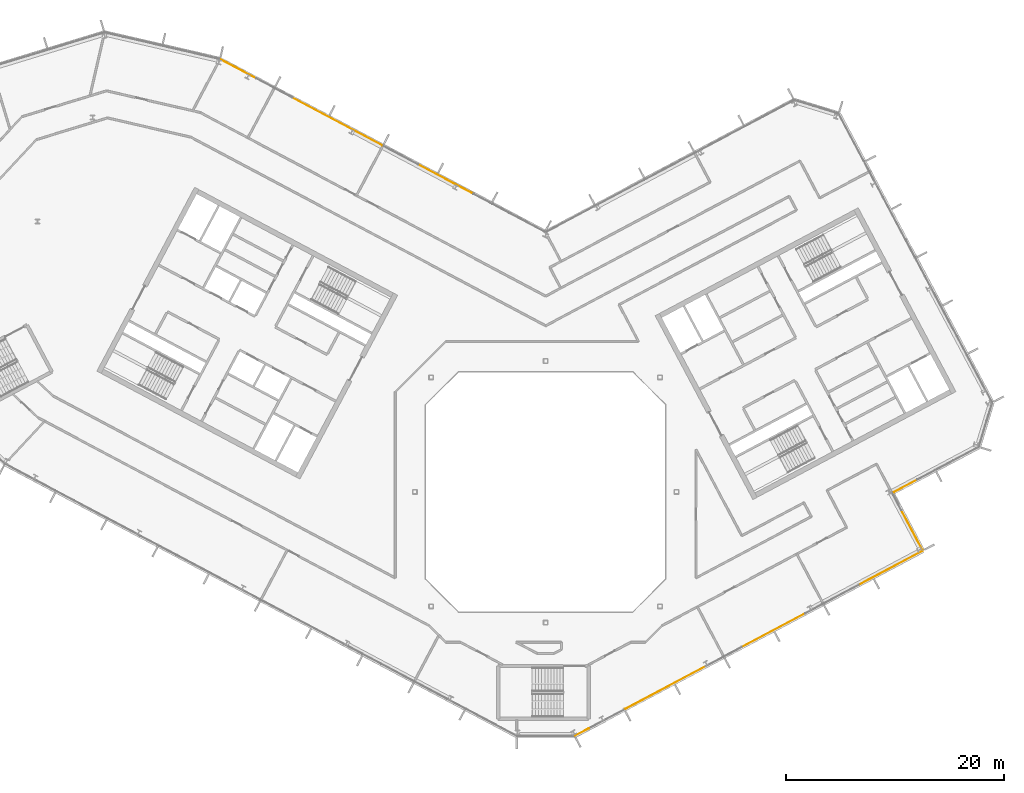
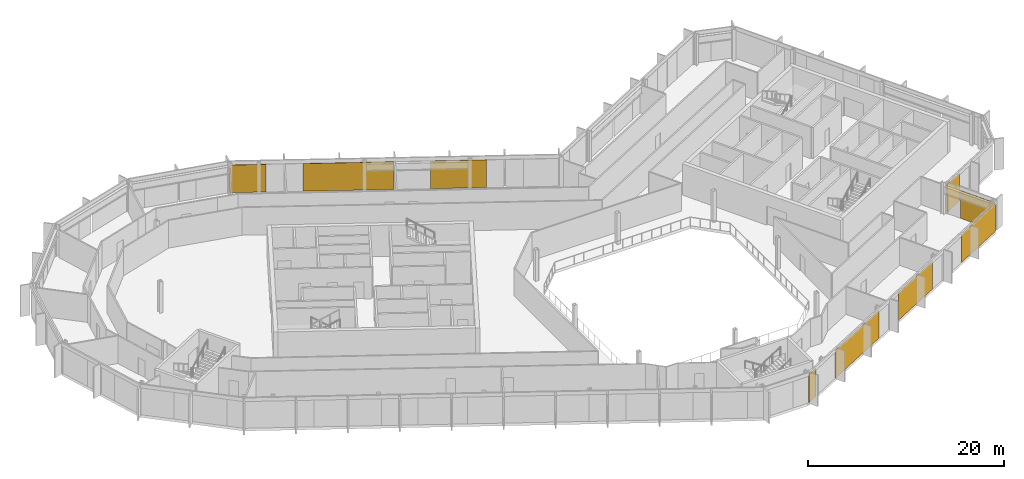
# One storey, part 24 of 26: 9 coverings, 4 elements without a shape of their own.
"""IFC4 building model written with IfcOpenShell, lengths in metres."""

from ifc_helpers import new_model, si_unit, direction, frame, origin, origin_2d, place, context, subcontext, project, spatial, rectangle, extrude, material, layer, layer_set, type_object, element, aggregate, save


model = new_model("IFC4")

# Units and contexts
model_context = context("Model", 3, precision=1e-05, world=origin(), true_north=direction((0.0, 1.0)))
body_context = subcontext(model_context, "Body", "Model", "MODEL_VIEW")
ifc_project = project(units=[si_unit("LENGTHUNIT", "METRE"), si_unit("AREAUNIT", "SQUARE_METRE"), si_unit("VOLUMEUNIT", "CUBIC_METRE"), si_unit("PLANEANGLEUNIT", "RADIAN"), si_unit("MASSUNIT", "GRAM", prefix="KILO")], contexts=[model_context])

# Site, building, storey
site_placement = place(None, origin())
site = spatial("IfcSite", under=ifc_project, at=site_placement, CompositionType="ELEMENT")
building_placement = place(site_placement, origin())
building = spatial("IfcBuilding", under=site, at=building_placement, Name="Cormorant Relay Tower", CompositionType="ELEMENT")
storey_placement = place(building_placement, frame((0.0, 0.0, 316.5)))
storey = spatial("IfcBuildingStorey", under=building, at=storey_placement, Name="L72", CompositionType="ELEMENT", Elevation=316.5)

# Curtain wall, coverings
ifc_material_1 = material(Name="Aluminium 6063-T6 anodised bronze", Category="aluminium")
ifc_layer_1 = layer(ifc_material_1, 0.199951171875)
ifc_layer_set_1 = layer_set([ifc_layer_1], Name="CW1 unitised bronze curtain wall with vertical fins")
curtain_wall_type = type_object("IfcCurtainWallType", Name="CW1 unitised bronze curtain wall with vertical fins", PredefinedType="NOTDEFINED", material=ifc_layer_set_1)
curtain_wall_1_placement = place(storey_placement, origin())
curtain_wall_1 = element("IfcCurtainWall", 1, at=curtain_wall_1_placement, inside=storey, type_object=curtain_wall_type, Name="CW1 curtain wall 2", PredefinedType="NOTDEFINED")
ifc_material_2 = material(Name="Pale bronze anodised aluminium insulated panel", Category="aluminium")
ifc_layer_2 = layer(ifc_material_2, 0.0400390625)
ifc_layer_set_2 = layer_set([ifc_layer_2], Name="CW1 pale bronze insulated panel 40")
covering_type = type_object("IfcCoveringType", Name="CW1 pale bronze insulated panel 40", PredefinedType="CLADDING", material=ifc_layer_set_2)
covering_1_placement = place(storey_placement, frame((3.349853515625, -22.025390625, 0.0), z_axis=(0.0, 0.0, 1.0), x_axis=(0.882947592859, 0.469471562786, 0.0)))
covering_1 = element("IfcCovering", 2, at=covering_1_placement, type_object=covering_type, Name="CW1 panel S00", PredefinedType="CLADDING", context=body_context, shape_type="SweptSolid", body=[
    extrude(rectangle(XDim=1.41650390625, YDim=0.0400390625, at=origin_2d()), origin(), (0.0, 0.0, 1.0), 3.449951171875),
])
covering_2_placement = place(storey_placement, frame((10.9873046875, -17.964599609375, 0.0), z_axis=(0.0, 0.0, 1.0), x_axis=(0.882947592859, 0.469471562786, 0.0)))
covering_2 = element("IfcCovering", 3, at=covering_2_placement, type_object=covering_type, Name="CW1 panel S02", PredefinedType="CLADDING", context=body_context, shape_type="SweptSolid", body=[
    extrude(rectangle(XDim=8.383056640625, YDim=0.0400390625, at=origin_2d()), origin(), (0.0, 0.0, 1.0), 3.449951171875),
])
covering_3_placement = place(storey_placement, frame((20.905517578125, -12.69091796875, 0.0), z_axis=(0.0, 0.0, 1.0), x_axis=(0.882947592859, 0.469471562786, 0.0)))
covering_3 = element("IfcCovering", 4, at=covering_3_placement, type_object=covering_type, Name="CW1 panel S05", PredefinedType="CLADDING", context=body_context, shape_type="SweptSolid", body=[
    extrude(rectangle(XDim=6.5830078125, YDim=0.0400390625, at=origin_2d()), origin(), (0.0, 0.0, 1.0), 3.449951171875),
])
covering_4_placement = place(storey_placement, frame((31.6513671875, -6.977294921875, 0.0), z_axis=(0.0, 0.0, 1.0), x_axis=(0.882947592859, 0.469471562786, 0.0)))
covering_4 = element("IfcCovering", 5, at=covering_4_placement, type_object=covering_type, Name="CW1 panel S08", PredefinedType="CLADDING", context=body_context, shape_type="SweptSolid", body=[
    extrude(rectangle(XDim=6.658203125, YDim=0.0400390625, at=origin_2d()), origin(), (0.0, 0.0, 1.0), 3.449951171875),
])
aggregate(curtain_wall_1, [covering_1, covering_2, covering_3, covering_4])

# Curtain wall, covering
curtain_wall_2_placement = place(storey_placement, origin())
curtain_wall_2 = element("IfcCurtainWall", 6, at=curtain_wall_2_placement, inside=storey, type_object=curtain_wall_type, Name="CW1 curtain wall 3", PredefinedType="NOTDEFINED")
covering_5_placement = place(storey_placement, frame((33.595703125, -3.5, 0.0), z_axis=(0.0, 0.0, 1.0), x_axis=(-0.469471562786, 0.882947592859, 0.0)))
covering_5 = element("IfcCovering", 7, at=covering_5_placement, type_object=covering_type, Name="CW1 panel S00", PredefinedType="CLADDING", context=body_context, shape_type="SweptSolid", body=[
    extrude(rectangle(XDim=4.125, YDim=0.0400390625, at=origin_2d()), origin(), (0.0, 0.0, 1.0), 3.449951171875),
])
aggregate(curtain_wall_2, [covering_5])

curtain_wall_3_placement = place(storey_placement, origin())
curtain_wall_3 = element("IfcCurtainWall", 8, at=curtain_wall_3_placement, inside=storey, type_object=curtain_wall_type, Name="CW1 curtain wall 4", PredefinedType="NOTDEFINED")
covering_6_placement = place(storey_placement, frame((32.9990234375, 0.53466796875, 0.0), z_axis=(0.0, 0.0, 1.0), x_axis=(0.882947592859, 0.469471562786, 0.0)))
covering_6 = element("IfcCovering", 9, at=covering_6_placement, type_object=covering_type, Name="CW1 panel S00", PredefinedType="CLADDING", context=body_context, shape_type="SweptSolid", body=[
    extrude(rectangle(XDim=2.47509765625, YDim=0.0400390625, at=origin_2d()), origin(), (0.0, 0.0, 1.0), 3.449951171875),
])
aggregate(curtain_wall_3, [covering_6])

# Curtain wall, coverings
curtain_wall_4_placement = place(storey_placement, origin())
curtain_wall_4 = element("IfcCurtainWall", 10, at=curtain_wall_4_placement, inside=storey, type_object=curtain_wall_type, Name="CW1 curtain wall 9", PredefinedType="NOTDEFINED")
covering_7_placement = place(storey_placement, frame((-9.15380859375, 28.673828125, 0.0), z_axis=(0.0, 0.0, 1.0), x_axis=(-0.882947592859, 0.469471562786, 0.0)))
covering_7 = element("IfcCovering", 11, at=covering_7_placement, type_object=covering_type, Name="CW1 panel S03", PredefinedType="CLADDING", context=body_context, shape_type="SweptSolid", body=[
    extrude(rectangle(XDim=5.72802734375, YDim=0.0400390625, at=origin_2d()), origin(), (0.0, 0.0, 1.0), 3.449951171875),
])
covering_8_placement = place(storey_placement, frame((-19.11181640625, 33.968505859375, 0.0), z_axis=(0.0, 0.0, 1.0), x_axis=(-0.882947592859, 0.469471562786, 0.0)))
covering_8 = element("IfcCovering", 12, at=covering_8_placement, type_object=covering_type, Name="CW1 panel S05", PredefinedType="CLADDING", context=body_context, shape_type="SweptSolid", body=[
    extrude(rectangle(XDim=9.327880859375, YDim=0.0400390625, at=origin_2d()), origin(), (0.0, 0.0, 1.0), 3.449951171875),
])
covering_9_placement = place(storey_placement, frame((-28.20263671875, 38.80224609375, 0.0), z_axis=(0.0, 0.0, 1.0), x_axis=(-0.882947592859, 0.469471562786, 0.0)))
covering_9 = element("IfcCovering", 13, at=covering_9_placement, type_object=covering_type, Name="CW1 panel S08", PredefinedType="CLADDING", context=body_context, shape_type="SweptSolid", body=[
    extrude(rectangle(XDim=3.763916015625, YDim=0.0400390625, at=origin_2d()), origin(), (0.0, 0.0, 1.0), 3.449951171875),
])
aggregate(curtain_wall_4, [covering_7, covering_8, covering_9])

save(model, "model.ifc")
